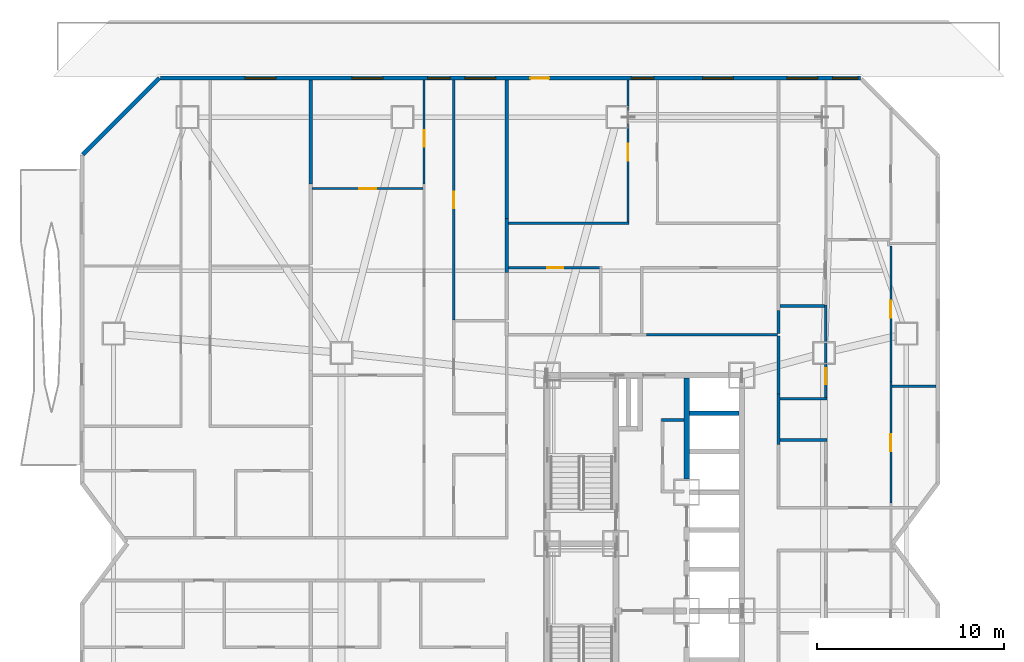
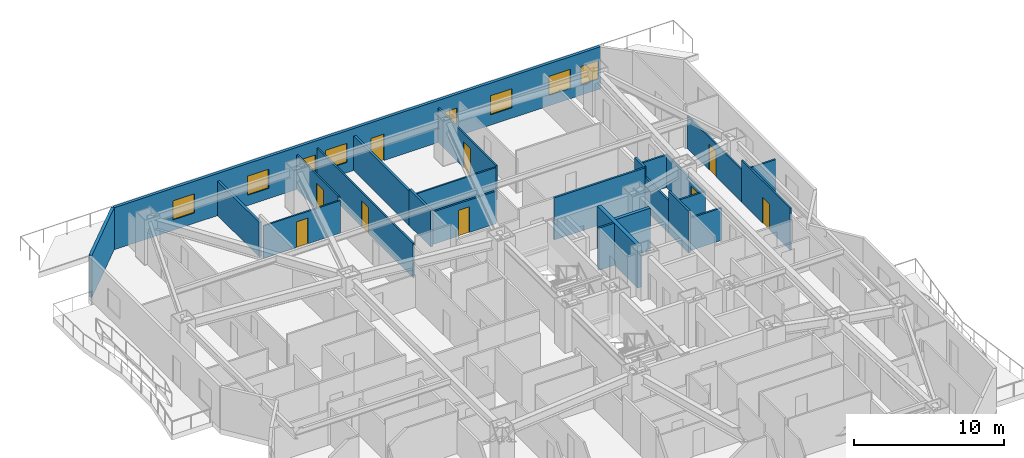
# One storey, part 14 of 18: 25 walls, 9 doors, 8 windows, 17 openings.
"""IFC4 building model written with IfcOpenShell, lengths in metres."""

from ifc_helpers import new_model, si_unit, direction, frame, frame_2d, origin, place, context, subcontext, project, spatial, rectangle, extrude, material, layer, layer_set, type_object, element, fill, save


model = new_model("IFC4")

# Units and contexts
model_context = context("Model", 3, precision=1e-05, world=origin(), true_north=direction((0.0, 1.0)))
body_context = subcontext(model_context, "Body", "Model", "MODEL_VIEW")
ifc_project = project(units=[si_unit("LENGTHUNIT", "METRE"), si_unit("AREAUNIT", "SQUARE_METRE"), si_unit("VOLUMEUNIT", "CUBIC_METRE"), si_unit("PLANEANGLEUNIT", "RADIAN"), si_unit("MASSUNIT", "GRAM", prefix="KILO")], contexts=[model_context])

# Site, building, storey
site_placement = place(None, origin())
site = spatial("IfcSite", under=ifc_project, at=site_placement, CompositionType="ELEMENT")
building_placement = place(site_placement, origin())
building = spatial("IfcBuilding", under=site, at=building_placement, Name="Khamvora Tower", CompositionType="ELEMENT")
storey_placement = place(building_placement, frame((0.0, 0.0, 33.300048828125)))
storey = spatial("IfcBuildingStorey", under=building, at=storey_placement, Name="L07", CompositionType="ELEMENT", Elevation=33.300048828125)

# Walls
ifc_material_1 = material(Name="Concrete C50/60", Category="concrete")
ifc_layer_1 = layer(ifc_material_1, 0.300048828125)
ifc_layer_set_1 = layer_set([ifc_layer_1], Name="Concrete C50/60")
wall_type_1 = type_object("IfcWallType", Name="WAL-CORE-300", PredefinedType="SHEAR", material=ifc_layer_set_1)
wall_1_placement = place(storey_placement, frame((36.449951171875, 31.449951171875, 0.0), z_axis=(0.0, 0.0, 1.0), x_axis=(0.0, 1.0, 0.0)))
element("IfcWall", 1, at=wall_1_placement, inside=storey, type_object=wall_type_1, Name="L07 central core lift bank north wall", PredefinedType="SHEAR", context=body_context, shape_type="SweptSolid", body=[
    extrude(rectangle(XDim=5.39599609375, YDim=0.300048828125, at=frame_2d((2.697998046875, 0.0))), origin(), (0.0, 0.0, 1.0), 3.429931640625),
])
ifc_material_2 = material(Name="Fire-Rated Drywall and Steel Stud", Category="steel")
ifc_layer_2 = layer(ifc_material_2, 0.14990234375)
ifc_layer_set_2 = layer_set([ifc_layer_2], Name="Fire-Rated Drywall and Steel Stud")
wall_type_2 = type_object("IfcWallType", Name="WAL-CORR-150", PredefinedType="STANDARD", material=ifc_layer_set_2)
wall_2_placement = place(storey_placement, frame((36.305908203125, 34.614990234375, 0.0), z_axis=(0.0, 0.0, 1.0), x_axis=(-1.0, 0.0, 0.0)))
element("IfcWall", 2, at=wall_2_placement, inside=storey, type_object=wall_type_2, Name="L07 interior partition wall 001", PredefinedType="STANDARD", context=body_context, shape_type="SweptSolid", body=[
    extrude(rectangle(XDim=1.205810546875, YDim=0.14990234375, at=frame_2d((0.60302734375, 0.0))), origin(), (0.0, 0.0, 1.0), 3.429931640625),
])
wall_3_placement = place(storey_placement, frame((34.299072265625, 39.1650390625, 0.0), z_axis=(0.0, 0.0, 1.0), x_axis=(1.0, 0.0, 0.0)))
element("IfcWall", 3, at=wall_3_placement, inside=storey, type_object=wall_type_2, Name="L07 interior partition wall 027", PredefinedType="STANDARD", context=body_context, shape_type="SweptSolid", body=[
    extrude(rectangle(XDim=7.0009765625, YDim=0.14990234375, at=frame_2d((3.50048828125, 0.0))), origin(), (0.0, 0.0, 1.0), 3.429931640625),
])
wall_4_placement = place(storey_placement, frame((41.364990234375, 35.989990234375, 0.0), z_axis=(0.0, 0.0, 1.0), x_axis=(0.0, -1.0, 0.0)))
element("IfcWall", 4, at=wall_4_placement, inside=storey, type_object=wall_type_2, Name="L07 interior partition wall 034", PredefinedType="STANDARD", context=body_context, shape_type="SweptSolid", body=[
    extrude(rectangle(XDim=2.697998046875, YDim=0.14990234375, at=frame_2d((1.34912109375, 0.0))), origin(), (0.0, 0.0, 1.0), 3.429931640625),
])
wall_5_placement = place(storey_placement, frame((41.364990234375, 39.10009765625, 0.0), z_axis=(0.0, 0.0, 1.0), x_axis=(0.0, -1.0, 0.0)))
element("IfcWall", 5, at=wall_5_placement, inside=storey, type_object=wall_type_2, Name="L07 interior partition wall 038", PredefinedType="STANDARD", context=body_context, shape_type="SweptSolid", body=[
    extrude(rectangle(XDim=3.110107421875, YDim=0.14990234375, at=frame_2d((1.55517578125, 0.0))), origin(), (0.0, 0.0, 1.0), 2.64697265625),
])
ifc_material_3 = material(Name="Acoustic Double-Stud Fire Wall", Category="gypsum")
ifc_layer_3 = layer(ifc_material_3, 0.179931640625)
ifc_layer_set_3 = layer_set([ifc_layer_3], Name="Acoustic Double-Stud Fire Wall")
wall_type_3 = type_object("IfcWallType", Name="WAL-CORR-180", PredefinedType="STANDARD", material=ifc_layer_set_3)
wall_6_placement = place(storey_placement, frame((16.345947265625, 52.7880859375, 0.0), z_axis=(0.0, 0.0, 1.0), x_axis=(0.0, -1.0, 0.0)))
element("IfcWall", 6, at=wall_6_placement, inside=storey, type_object=wall_type_3, Name="L07 interior partition wall 090", PredefinedType="STANDARD", context=body_context, shape_type="SweptSolid", body=[
    extrude(rectangle(XDim=5.55517578125, YDim=0.179931640625, at=frame_2d((2.777587890625, 0.0))), origin(), (0.0, 0.0, 1.0), 2.802978515625),
])
wall_7_placement = place(storey_placement, frame((26.8349609375, 45.3740234375, 0.0), z_axis=(0.0, 0.0, 1.0), x_axis=(0.0, -1.0, 0.0)))
element("IfcWall", 7, at=wall_7_placement, inside=storey, type_object=wall_type_3, Name="L07 interior partition wall 093", PredefinedType="STANDARD", context=body_context, shape_type="SweptSolid", body=[
    extrude(rectangle(XDim=2.8779296875, YDim=0.179931640625, at=frame_2d((1.43896484375, 0.0))), origin(), (0.0, 0.0, 1.0), 2.95703125),
])
wall_8_placement = place(storey_placement, frame((26.8349609375, 52.7880859375, 0.0), z_axis=(0.0, 0.0, 1.0), x_axis=(0.0, -1.0, 0.0)))
element("IfcWall", 8, at=wall_8_placement, inside=storey, type_object=wall_type_3, Name="L07 interior partition wall 095", PredefinedType="STANDARD", context=body_context, shape_type="SweptSolid", body=[
    extrude(rectangle(XDim=7.4140625, YDim=0.179931640625, at=frame_2d((3.70703125, 0.0))), origin(), (0.0, 0.0, 1.0), 2.802978515625),
])
wall_9_placement = place(storey_placement, frame((41.364990234375, 40.45703125, 0.0), z_axis=(0.0, 0.0, 1.0), x_axis=(0.0, -1.0, 0.0)))
element("IfcWall", 9, at=wall_9_placement, inside=storey, type_object=wall_type_3, Name="L07 interior partition wall 132", PredefinedType="STANDARD", context=body_context, shape_type="SweptSolid", body=[
    extrude(rectangle(XDim=1.22705078125, YDim=0.179931640625, at=frame_2d((0.613525390625, 0.0))), origin(), (0.0, 0.0, 1.0), 3.429931640625),
])
ifc_material_4 = material(Name="Precast concrete C40/50", Category="concrete")
ifc_layer_4 = layer(ifc_material_4, 0.219970703125)
ifc_layer_set_4 = layer_set([ifc_layer_4], Name="Precast concrete C40/50")
wall_type_4 = type_object("IfcWallType", Name="WAL-EXT-220", PredefinedType="STANDARD", material=ifc_layer_set_4)
wall_10_placement = place(storey_placement, frame((4.157958984375, 48.802001953125, 0.0), z_axis=(0.0, 0.0, 1.0), x_axis=(0.70712789547, 0.707085666273, 0.0)))
element("IfcWall", 10, at=wall_10_placement, inside=storey, type_object=wall_type_4, Name="L07 exterior facade wall 06.1", PredefinedType="STANDARD", context=body_context, shape_type="SweptSolid", body=[
    extrude(rectangle(XDim=5.78125, YDim=0.219970703125, at=frame_2d((2.890625, 0.0))), origin(), (0.0, 0.0, 1.0), 3.429931640625),
])

# Wall, openings, door, windows
wall_11_placement = place(storey_placement, frame((8.31494140625, 52.889892578125, 0.0), z_axis=(0.0, 0.0, 1.0), x_axis=(1.0, 0.0, 0.0)))
wall_11 = element("IfcWall", 11, at=wall_11_placement, inside=storey, type_object=wall_type_4, Name="L07 exterior facade wall 07.1", PredefinedType="STANDARD", context=body_context, shape_type="SweptSolid", body=[
    extrude(rectangle(XDim=37.43896484375, YDim=0.219970703125, at=frame_2d((18.719482421875, 0.0))), origin(), (0.0, 0.0, 1.0), 3.429931640625),
])
opening_1_placement = place(wall_11_placement, frame((19.779052734375, 0.0, 0.0)))
opening_1 = element("IfcOpeningElement", 12, at=opening_1_placement, cuts=wall_11, Name="Opening BD-02", PredefinedType="OPENING", context=body_context, shape_type="SweptSolid", body=[
    extrude(rectangle(XDim=1.0, YDim=2.14990234375, at=frame_2d((0.5, 1.074951171875))), frame((0.0, 0.119873046875, 0.0), z_axis=(0.0, -1.0, 0.0), x_axis=(1.0, 0.0, 0.0)), (0.0, 0.0, 1.0), 0.239990234375),
])
opening_2_placement = place(wall_11_placement, frame((4.52392578125, 0.0, 0.85009765625)))
opening_2 = element("IfcOpeningElement", 13, at=opening_2_placement, cuts=wall_11, Name="Opening WN-06", PredefinedType="OPENING", context=body_context, shape_type="SweptSolid", body=[
    extrude(rectangle(XDim=1.64990234375, YDim=1.550048828125, at=frame_2d((0.824951171875, 0.77490234375))), frame((0.0, 0.119873046875, 0.0), z_axis=(0.0, -1.0, 0.0), x_axis=(1.0, 0.0, 0.0)), (0.0, 0.0, 1.0), 0.239990234375),
])
opening_3_placement = place(wall_11_placement, frame((16.27294921875, 0.0, 0.85009765625)))
opening_3 = element("IfcOpeningElement", 14, at=opening_3_placement, cuts=wall_11, Name="Opening WN-06", PredefinedType="OPENING", context=body_context, shape_type="SweptSolid", body=[
    extrude(rectangle(XDim=1.64990234375, YDim=1.550048828125, at=frame_2d((0.824951171875, 0.77490234375))), frame((0.0, 0.119873046875, 0.0), z_axis=(0.0, -1.0, 0.0), x_axis=(1.0, 0.0, 0.0)), (0.0, 0.0, 1.0), 0.239990234375),
])
opening_4_placement = place(wall_11_placement, frame((14.284912109375, 0.0, 0.800048828125)))
opening_4 = element("IfcOpeningElement", 15, at=opening_4_placement, cuts=wall_11, Name="Opening WN-03", PredefinedType="OPENING", context=body_context, shape_type="SweptSolid", body=[
    extrude(rectangle(XDim=1.199951171875, YDim=1.5, at=frame_2d((0.60009765625, 0.75))), frame((0.0, 0.119873046875, 0.0), z_axis=(0.0, -1.0, 0.0), x_axis=(1.0, 0.0, 0.0)), (0.0, 0.0, 1.0), 0.239990234375),
])
opening_5_placement = place(wall_11_placement, frame((10.238037109375, 0.0, 0.85009765625)))
opening_5 = element("IfcOpeningElement", 16, at=opening_5_placement, cuts=wall_11, Name="Opening WN-06", PredefinedType="OPENING", context=body_context, shape_type="SweptSolid", body=[
    extrude(rectangle(XDim=1.64990234375, YDim=1.550048828125, at=frame_2d((0.824951171875, 0.77490234375))), frame((0.0, 0.119873046875, 0.0), z_axis=(0.0, -1.0, 0.0), x_axis=(1.0, 0.0, 0.0)), (0.0, 0.0, 1.0), 0.239990234375),
])
opening_6_placement = place(wall_11_placement, frame((25.18505859375, 0.0, 0.800048828125)))
opening_6 = element("IfcOpeningElement", 17, at=opening_6_placement, cuts=wall_11, Name="Opening WN-03", PredefinedType="OPENING", context=body_context, shape_type="SweptSolid", body=[
    extrude(rectangle(XDim=1.199951171875, YDim=1.5, at=frame_2d((0.60009765625, 0.75))), frame((0.0, 0.119873046875, 0.0), z_axis=(0.0, -1.0, 0.0), x_axis=(1.0, 0.0, 0.0)), (0.0, 0.0, 1.0), 0.239990234375),
])
opening_7_placement = place(wall_11_placement, frame((28.985107421875, 0.0, 0.85009765625)))
opening_7 = element("IfcOpeningElement", 18, at=opening_7_placement, cuts=wall_11, Name="Opening WN-06", PredefinedType="OPENING", context=body_context, shape_type="SweptSolid", body=[
    extrude(rectangle(XDim=1.64990234375, YDim=1.550048828125, at=frame_2d((0.824951171875, 0.77490234375))), frame((0.0, 0.119873046875, 0.0), z_axis=(0.0, -1.0, 0.0), x_axis=(1.0, 0.0, 0.0)), (0.0, 0.0, 1.0), 0.239990234375),
])
opening_8_placement = place(wall_11_placement, frame((33.489990234375, 0.0, 0.85009765625)))
opening_8 = element("IfcOpeningElement", 19, at=opening_8_placement, cuts=wall_11, Name="Opening WN-06", PredefinedType="OPENING", context=body_context, shape_type="SweptSolid", body=[
    extrude(rectangle(XDim=1.64990234375, YDim=1.550048828125, at=frame_2d((0.824951171875, 0.77490234375))), frame((0.0, 0.119873046875, 0.0), z_axis=(0.0, -1.0, 0.0), x_axis=(1.0, 0.0, 0.0)), (0.0, 0.0, 1.0), 0.239990234375),
])
opening_9_placement = place(wall_11_placement, frame((35.94189453125, 0.0, 0.85009765625)))
opening_9 = element("IfcOpeningElement", 20, at=opening_9_placement, cuts=wall_11, Name="Opening WN-07", PredefinedType="OPENING", context=body_context, shape_type="SweptSolid", body=[
    extrude(rectangle(XDim=1.35009765625, YDim=1.5, at=frame_2d((0.675048828125, 0.75))), frame((0.0, 0.119873046875, 0.0), z_axis=(0.0, -1.0, 0.0), x_axis=(1.0, 0.0, 0.0)), (0.0, 0.0, 1.0), 0.239990234375),
])
ifc_material_5 = material(Name="Anodised Aluminium and Laminated Safety Glass", Category="aluminium")
door_type_1 = type_object("IfcDoorType", Name="DOR-BAL-1000", OperationType="NOTDEFINED", PredefinedType="DOOR", material=ifc_material_5)
door_1_placement = place(opening_1_placement, origin())
door_1 = element("IfcDoor", 21, at=door_1_placement, inside=storey, type_object=door_type_1, Name="L07 stepped roof terrace access door N", OperationType="SLIDING_TO_LEFT", OverallHeight=2.14990234375, OverallWidth=1.0, PredefinedType="DOOR", context=body_context, shape_type="SweptSolid", body=[
    extrude(rectangle(XDim=1.0, YDim=2.14990234375, at=frame_2d((0.5, 1.074951171875))), frame((0.0, 0.02490234375, 0.0), z_axis=(0.0, -1.0, 0.0), x_axis=(1.0, 0.0, 0.0)), (0.0, 0.0, 1.0), 0.050048828125),
])
fill(opening_1, door_1)
ifc_material_6 = material(Name="Low-E Laminated Double Glazing", Category="glass")
window_type_1 = type_object("IfcWindowType", Name="WIN-VIS-1200x1500", PartitioningType="SINGLE_PANEL", PredefinedType="WINDOW", material=ifc_material_6)
window_1_placement = place(opening_4_placement, origin())
window_1 = element("IfcWindow", 22, at=window_1_placement, inside=storey, type_object=window_type_1, Name="L07 vision window 07.1.03", OverallHeight=1.5, OverallWidth=1.199951171875, PartitioningType="SINGLE_PANEL", PredefinedType="WINDOW", context=body_context, shape_type="SweptSolid", body=[
    extrude(rectangle(XDim=1.199951171875, YDim=1.5, at=frame_2d((0.60009765625, 0.75))), frame((0.0, 0.030029296875, 0.0), z_axis=(0.0, -1.0, 0.0), x_axis=(1.0, 0.0, 0.0)), (0.0, 0.0, 1.0), 0.06005859375),
])
fill(opening_4, window_1)
window_2_placement = place(opening_6_placement, origin())
window_2 = element("IfcWindow", 23, at=window_2_placement, inside=storey, type_object=window_type_1, Name="L07 vision window 07.1.05", OverallHeight=1.5, OverallWidth=1.199951171875, PartitioningType="SINGLE_PANEL", PredefinedType="WINDOW", context=body_context, shape_type="SweptSolid", body=[
    extrude(rectangle(XDim=1.199951171875, YDim=1.5, at=frame_2d((0.60009765625, 0.75))), frame((0.0, 0.030029296875, 0.0), z_axis=(0.0, -1.0, 0.0), x_axis=(1.0, 0.0, 0.0)), (0.0, 0.0, 1.0), 0.06005859375),
])
fill(opening_6, window_2)
window_type_2 = type_object("IfcWindowType", Name="WIN-VIS-1350x1500", PartitioningType="SINGLE_PANEL", PredefinedType="WINDOW", material=ifc_material_6)
window_3_placement = place(opening_9_placement, origin())
window_3 = element("IfcWindow", 24, at=window_3_placement, inside=storey, type_object=window_type_2, Name="L07 vision window 07.1.08", OverallHeight=1.5, OverallWidth=1.35009765625, PartitioningType="SINGLE_PANEL", PredefinedType="WINDOW", context=body_context, shape_type="SweptSolid", body=[
    extrude(rectangle(XDim=1.35009765625, YDim=1.5, at=frame_2d((0.675048828125, 0.75))), frame((0.0, 0.030029296875, 0.0), z_axis=(0.0, -1.0, 0.0), x_axis=(1.0, 0.0, 0.0)), (0.0, 0.0, 1.0), 0.06005859375),
])
fill(opening_9, window_3)
window_type_3 = type_object("IfcWindowType", Name="WIN-VIS-1650x1550", PartitioningType="SINGLE_PANEL", PredefinedType="WINDOW", material=ifc_material_6)
window_4_placement = place(opening_2_placement, origin())
window_4 = element("IfcWindow", 25, at=window_4_placement, inside=storey, type_object=window_type_3, Name="L07 vision window 07.1.01", OverallHeight=1.550048828125, OverallWidth=1.64990234375, PartitioningType="SINGLE_PANEL", PredefinedType="WINDOW", context=body_context, shape_type="SweptSolid", body=[
    extrude(rectangle(XDim=1.64990234375, YDim=1.550048828125, at=frame_2d((0.824951171875, 0.77490234375))), frame((0.0, 0.030029296875, 0.0), z_axis=(0.0, -1.0, 0.0), x_axis=(1.0, 0.0, 0.0)), (0.0, 0.0, 1.0), 0.06005859375),
])
fill(opening_2, window_4)
window_5_placement = place(opening_3_placement, origin())
window_5 = element("IfcWindow", 26, at=window_5_placement, inside=storey, type_object=window_type_3, Name="L07 vision window 07.1.02", OverallHeight=1.550048828125, OverallWidth=1.64990234375, PartitioningType="SINGLE_PANEL", PredefinedType="WINDOW", context=body_context, shape_type="SweptSolid", body=[
    extrude(rectangle(XDim=1.64990234375, YDim=1.550048828125, at=frame_2d((0.824951171875, 0.77490234375))), frame((0.0, 0.030029296875, 0.0), z_axis=(0.0, -1.0, 0.0), x_axis=(1.0, 0.0, 0.0)), (0.0, 0.0, 1.0), 0.06005859375),
])
fill(opening_3, window_5)
window_6_placement = place(opening_5_placement, origin())
window_6 = element("IfcWindow", 27, at=window_6_placement, inside=storey, type_object=window_type_3, Name="L07 vision window 07.1.04", OverallHeight=1.550048828125, OverallWidth=1.64990234375, PartitioningType="SINGLE_PANEL", PredefinedType="WINDOW", context=body_context, shape_type="SweptSolid", body=[
    extrude(rectangle(XDim=1.64990234375, YDim=1.550048828125, at=frame_2d((0.824951171875, 0.77490234375))), frame((0.0, 0.030029296875, 0.0), z_axis=(0.0, -1.0, 0.0), x_axis=(1.0, 0.0, 0.0)), (0.0, 0.0, 1.0), 0.06005859375),
])
fill(opening_5, window_6)
window_7_placement = place(opening_7_placement, origin())
window_7 = element("IfcWindow", 28, at=window_7_placement, inside=storey, type_object=window_type_3, Name="L07 vision window 07.1.06", OverallHeight=1.550048828125, OverallWidth=1.64990234375, PartitioningType="SINGLE_PANEL", PredefinedType="WINDOW", context=body_context, shape_type="SweptSolid", body=[
    extrude(rectangle(XDim=1.64990234375, YDim=1.550048828125, at=frame_2d((0.824951171875, 0.77490234375))), frame((0.0, 0.030029296875, 0.0), z_axis=(0.0, -1.0, 0.0), x_axis=(1.0, 0.0, 0.0)), (0.0, 0.0, 1.0), 0.06005859375),
])
fill(opening_7, window_7)
window_8_placement = place(opening_8_placement, origin())
window_8 = element("IfcWindow", 29, at=window_8_placement, inside=storey, type_object=window_type_3, Name="L07 vision window 07.1.07", OverallHeight=1.550048828125, OverallWidth=1.64990234375, PartitioningType="SINGLE_PANEL", PredefinedType="WINDOW", context=body_context, shape_type="SweptSolid", body=[
    extrude(rectangle(XDim=1.64990234375, YDim=1.550048828125, at=frame_2d((0.824951171875, 0.77490234375))), frame((0.0, 0.030029296875, 0.0), z_axis=(0.0, -1.0, 0.0), x_axis=(1.0, 0.0, 0.0)), (0.0, 0.0, 1.0), 0.06005859375),
])
fill(opening_8, window_8)

# Wall, opening, door
ifc_material_7 = material(Name="Gypsum Plasterboard Partition", Category="gypsum")
ifc_layer_5 = layer(ifc_material_7, 0.1201171875)
ifc_layer_set_5 = layer_set([ifc_layer_5], Name="Gypsum Plasterboard Partition")
wall_type_5 = type_object("IfcWallType", Name="WAL-PART-120", PredefinedType="PARTITIONING", material=ifc_layer_set_5)
wall_12_placement = place(storey_placement, frame((23.989990234375, 39.970947265625, 0.0), z_axis=(0.0, 0.0, 1.0), x_axis=(0.0, 1.0, 0.0)))
wall_12 = element("IfcWall", 30, at=wall_12_placement, inside=storey, type_object=wall_type_5, Name="L07 interior partition wall 091", PredefinedType="PARTITIONING", context=body_context, shape_type="SweptSolid", body=[
    extrude(rectangle(XDim=12.817138671875, YDim=0.1201171875, at=frame_2d((6.40869140625, 0.0))), origin(), (0.0, 0.0, 1.0), 2.802978515625),
])
opening_10_placement = place(wall_12_placement, frame((5.9580078125, 0.0, 0.0)))
opening_10 = element("IfcOpeningElement", 31, at=opening_10_placement, cuts=wall_12, Name="Opening D-RM1", PredefinedType="OPENING", context=body_context, shape_type="SweptSolid", body=[
    extrude(rectangle(XDim=0.89990234375, YDim=2.10009765625, at=frame_2d((0.449951171875, 1.050048828125))), frame((0.0, 0.070068359375, 0.0), z_axis=(0.0, -1.0, 0.0), x_axis=(1.0, 0.0, 0.0)), (0.0, 0.0, 1.0), 0.14013671875),
])
ifc_material_8 = material(Name="Powder-Coated Steel and Hardwood Leaf", Category="steel")
door_type_2 = type_object("IfcDoorType", Name="DOR-ROOM-900", OperationType="NOTDEFINED", PredefinedType="DOOR", material=ifc_material_8)
door_2_placement = place(opening_10_placement, origin())
door_2 = element("IfcDoor", 32, at=door_2_placement, inside=storey, type_object=door_type_2, Name="L07 interior door 07WB2W2-07WB2H", OperationType="SINGLE_SWING_RIGHT", OverallHeight=2.10009765625, OverallWidth=0.89990234375, PredefinedType="DOOR", context=body_context, shape_type="SweptSolid", body=[
    extrude(rectangle(XDim=0.89990234375, YDim=2.10009765625, at=frame_2d((0.449951171875, 1.050048828125))), frame((0.0, 0.02490234375, 0.0), z_axis=(0.0, -1.0, 0.0), x_axis=(1.0, 0.0, 0.0)), (0.0, 0.0, 1.0), 0.050048828125),
])
fill(opening_10, door_2)

wall_13_placement = place(storey_placement, frame((22.409912109375, 47.23291015625, 0.0), z_axis=(0.0, 0.0, 1.0), x_axis=(0.0, 1.0, 0.0)))
wall_13 = element("IfcWall", 33, at=wall_13_placement, inside=storey, type_object=wall_type_5, Name="L07 interior partition wall 102", PredefinedType="PARTITIONING", context=body_context, shape_type="SweptSolid", body=[
    extrude(rectangle(XDim=5.55517578125, YDim=0.1201171875, at=frame_2d((2.777587890625, 0.0))), origin(), (0.0, 0.0, 1.0), 2.802978515625),
])
opening_11_placement = place(wall_13_placement, frame((1.97998046875, 0.0, 0.0)))
opening_11 = element("IfcOpeningElement", 34, at=opening_11_placement, cuts=wall_13, Name="Opening D-RM1", PredefinedType="OPENING", context=body_context, shape_type="SweptSolid", body=[
    extrude(rectangle(XDim=0.89990234375, YDim=2.10009765625, at=frame_2d((0.449951171875, 1.050048828125))), frame((0.0, 0.070068359375, 0.0), z_axis=(0.0, -1.0, 0.0), x_axis=(1.0, 0.0, 0.0)), (0.0, 0.0, 1.0), 0.14013671875),
])
door_3_placement = place(opening_11_placement, origin())
door_3 = element("IfcDoor", 35, at=door_3_placement, inside=storey, type_object=door_type_2, Name="L07 interior door 07WB2H-07WB2R3", OperationType="SINGLE_SWING_LEFT", OverallHeight=2.10009765625, OverallWidth=0.89990234375, PredefinedType="DOOR", context=body_context, shape_type="SweptSolid", body=[
    extrude(rectangle(XDim=0.89990234375, YDim=2.10009765625, at=frame_2d((0.449951171875, 1.050048828125))), frame((0.0, 0.02490234375, 0.0), z_axis=(0.0, -1.0, 0.0), x_axis=(1.0, 0.0, 0.0)), (0.0, 0.0, 1.0), 0.050048828125),
])
fill(opening_11, door_3)

wall_14_placement = place(storey_placement, frame((16.427978515625, 46.98388671875, 0.0), z_axis=(0.0, 0.0, 1.0), x_axis=(1.0, 0.0, 0.0)))
wall_14 = element("IfcWall", 36, at=wall_14_placement, inside=storey, type_object=wall_type_5, Name="L07 interior partition wall 105", PredefinedType="PARTITIONING", context=body_context, shape_type="SweptSolid", body=[
    extrude(rectangle(XDim=5.927978515625, YDim=0.1201171875, at=frame_2d((2.9638671875, 0.0))), origin(), (0.0, 0.0, 1.0), 2.64697265625),
])
opening_12_placement = place(wall_14_placement, frame((2.513916015625, 0.0, 0.0)))
opening_12 = element("IfcOpeningElement", 37, at=opening_12_placement, cuts=wall_14, Name="Opening D-RM1", PredefinedType="OPENING", context=body_context, shape_type="SweptSolid", body=[
    extrude(rectangle(XDim=0.89990234375, YDim=2.10009765625, at=frame_2d((0.449951171875, 1.050048828125))), frame((0.0, 0.070068359375, 0.0), z_axis=(0.0, -1.0, 0.0), x_axis=(1.0, 0.0, 0.0)), (0.0, 0.0, 1.0), 0.14013671875),
])
door_4_placement = place(opening_12_placement, origin())
door_4 = element("IfcDoor", 38, at=door_4_placement, inside=storey, type_object=door_type_2, Name="L07 interior door 07WB2R2-07WB2R3", OperationType="SINGLE_SWING_RIGHT", OverallHeight=2.10009765625, OverallWidth=0.89990234375, PredefinedType="DOOR", context=body_context, shape_type="SweptSolid", body=[
    extrude(rectangle(XDim=0.89990234375, YDim=2.10009765625, at=frame_2d((0.449951171875, 1.050048828125))), frame((0.0, 0.02490234375, 0.0), z_axis=(0.0, -1.0, 0.0), x_axis=(1.0, 0.0, 0.0)), (0.0, 0.0, 1.0), 0.050048828125),
])
fill(opening_12, door_4)

# Wall
wall_15_placement = place(storey_placement, frame((26.9169921875, 45.125, 0.0), z_axis=(0.0, 0.0, 1.0), x_axis=(1.0, 0.0, 0.0)))
element("IfcWall", 39, at=wall_15_placement, inside=storey, type_object=wall_type_5, Name="L07 interior partition wall 126", PredefinedType="PARTITIONING", context=body_context, shape_type="SweptSolid", body=[
    extrude(rectangle(XDim=6.462890625, YDim=0.1201171875, at=frame_2d((3.2314453125, 0.0))), origin(), (0.0, 0.0, 1.0), 2.64697265625),
])

# Wall, opening, door
wall_16_placement = place(storey_placement, frame((33.31494140625, 45.06005859375, 0.0), z_axis=(0.0, 0.0, 1.0), x_axis=(0.0, 1.0, 0.0)))
wall_16 = element("IfcWall", 40, at=wall_16_placement, inside=storey, type_object=wall_type_5, Name="L07 interior partition wall 127", PredefinedType="PARTITIONING", context=body_context, shape_type="SweptSolid", body=[
    extrude(rectangle(XDim=7.72802734375, YDim=0.1201171875, at=frame_2d((3.864013671875, 0.0))), origin(), (0.0, 0.0, 1.0), 2.802978515625),
])
opening_13_placement = place(wall_16_placement, frame((3.4140625, 0.0, 0.0)))
opening_13 = element("IfcOpeningElement", 41, at=opening_13_placement, cuts=wall_16, Name="Opening D-RM1", PredefinedType="OPENING", context=body_context, shape_type="SweptSolid", body=[
    extrude(rectangle(XDim=0.89990234375, YDim=2.10009765625, at=frame_2d((0.449951171875, 1.050048828125))), frame((0.0, 0.070068359375, 0.0), z_axis=(0.0, -1.0, 0.0), x_axis=(1.0, 0.0, 0.0)), (0.0, 0.0, 1.0), 0.14013671875),
])
door_5_placement = place(opening_13_placement, origin())
door_5 = element("IfcDoor", 42, at=door_5_placement, inside=storey, type_object=door_type_2, Name="L07 interior door 07NAH-07NAR1", OperationType="SINGLE_SWING_LEFT", OverallHeight=2.10009765625, OverallWidth=0.89990234375, PredefinedType="DOOR", context=body_context, shape_type="SweptSolid", body=[
    extrude(rectangle(XDim=0.89990234375, YDim=2.10009765625, at=frame_2d((0.449951171875, 1.050048828125))), frame((0.0, 0.02490234375, 0.0), z_axis=(0.0, -1.0, 0.0), x_axis=(1.0, 0.0, 0.0)), (0.0, 0.0, 1.0), 0.050048828125),
])
fill(opening_13, door_5)

wall_17_placement = place(storey_placement, frame((47.375, 36.6630859375, 0.0), z_axis=(0.0, 0.0, 1.0), x_axis=(0.0, -1.0, 0.0)))
wall_17 = element("IfcWall", 43, at=wall_17_placement, inside=storey, type_object=wall_type_5, Name="L07 interior partition wall 158", PredefinedType="PARTITIONING", context=body_context, shape_type="SweptSolid", body=[
    extrude(rectangle(XDim=6.4931640625, YDim=0.1201171875, at=frame_2d((3.24658203125, 0.0))), origin(), (0.0, 0.0, 1.0), 3.429931640625),
])
opening_14_placement = place(wall_17_placement, frame((2.81689453125, 0.0, 0.0)))
opening_14 = element("IfcOpeningElement", 44, at=opening_14_placement, cuts=wall_17, Name="Opening D-RM1", PredefinedType="OPENING", context=body_context, shape_type="SweptSolid", body=[
    extrude(rectangle(XDim=0.89990234375, YDim=2.10009765625, at=frame_2d((0.449951171875, 1.050048828125))), frame((0.0, 0.070068359375, 0.0), z_axis=(0.0, -1.0, 0.0), x_axis=(1.0, 0.0, 0.0)), (0.0, 0.0, 1.0), 0.14013671875),
])
door_6_placement = place(opening_14_placement, origin())
door_6 = element("IfcDoor", 45, at=door_6_placement, inside=storey, type_object=door_type_2, Name="L07 interior door 07EBH-07EBL", OperationType="SINGLE_SWING_LEFT", OverallHeight=2.10009765625, OverallWidth=0.89990234375, PredefinedType="DOOR", context=body_context, shape_type="SweptSolid", body=[
    extrude(rectangle(XDim=0.89990234375, YDim=2.10009765625, at=frame_2d((0.449951171875, 1.050048828125))), frame((0.0, 0.02490234375, 0.0), z_axis=(0.0, -1.0, 0.0), x_axis=(1.0, 0.0, 0.0)), (0.0, 0.0, 1.0), 0.050048828125),
])
fill(opening_14, door_6)

wall_18_placement = place(storey_placement, frame((47.375, 43.908935546875, 0.0), z_axis=(0.0, 0.0, 1.0), x_axis=(0.0, -1.0, 0.0)))
wall_18 = element("IfcWall", 46, at=wall_18_placement, inside=storey, type_object=wall_type_5, Name="L07 interior partition wall 159", PredefinedType="PARTITIONING", context=body_context, shape_type="SweptSolid", body=[
    extrude(rectangle(XDim=7.245849609375, YDim=0.1201171875, at=frame_2d((3.623046875, 0.0))), origin(), (0.0, 0.0, 1.0), 2.64697265625),
])
opening_15_placement = place(wall_18_placement, frame((2.93408203125, 0.0, 0.0)))
opening_15 = element("IfcOpeningElement", 47, at=opening_15_placement, cuts=wall_18, Name="Opening D-RM1", PredefinedType="OPENING", context=body_context, shape_type="SweptSolid", body=[
    extrude(rectangle(XDim=0.89990234375, YDim=2.10009765625, at=frame_2d((0.449951171875, 1.050048828125))), frame((0.0, 0.070068359375, 0.0), z_axis=(0.0, -1.0, 0.0), x_axis=(1.0, 0.0, 0.0)), (0.0, 0.0, 1.0), 0.14013671875),
])
door_7_placement = place(opening_15_placement, origin())
door_7 = element("IfcDoor", 48, at=door_7_placement, inside=storey, type_object=door_type_2, Name="L07 interior door 07EBH-07EBR2", OperationType="SINGLE_SWING_LEFT", OverallHeight=2.10009765625, OverallWidth=0.89990234375, PredefinedType="DOOR", context=body_context, shape_type="SweptSolid", body=[
    extrude(rectangle(XDim=0.89990234375, YDim=2.10009765625, at=frame_2d((0.449951171875, 1.050048828125))), frame((0.0, 0.02490234375, 0.0), z_axis=(0.0, -1.0, 0.0), x_axis=(1.0, 0.0, 0.0)), (0.0, 0.0, 1.0), 0.050048828125),
])
fill(opening_15, door_7)

# Walls
wall_19_placement = place(storey_placement, frame((47.428955078125, 36.4140625, 0.0), z_axis=(0.0, 0.0, 1.0), x_axis=(1.0, 0.0, 0.0)))
element("IfcWall", 49, at=wall_19_placement, inside=storey, type_object=wall_type_5, Name="L07 interior partition wall 161", PredefinedType="PARTITIONING", context=body_context, shape_type="SweptSolid", body=[
    extrude(rectangle(XDim=2.359130859375, YDim=0.1201171875, at=frame_2d((1.1796875, 0.0))), origin(), (0.0, 0.0, 1.0), 2.802978515625),
])
ifc_material_9 = material(Name="Concrete C40/50", Category="concrete")
ifc_layer_6 = layer(ifc_material_9, 0.25)
ifc_layer_set_6 = layer_set([ifc_layer_6], Name="Concrete C40/50")
wall_type_6 = type_object("IfcWallType", Name="WAL-PODS-250", PredefinedType="SHEAR", material=ifc_layer_set_6)
wall_20_placement = place(storey_placement, frame((36.60400390625, 34.97509765625, 0.0), z_axis=(0.0, 0.0, 1.0), x_axis=(1.0, 0.0, 0.0)))
element("IfcWall", 50, at=wall_20_placement, inside=storey, type_object=wall_type_6, Name="L07 lift shaft divider wall PH-02", PredefinedType="SHEAR", context=body_context, shape_type="SweptSolid", body=[
    extrude(rectangle(XDim=2.64208984375, YDim=0.25, at=frame_2d((1.321044921875, 0.0))), origin(), (0.0, 0.0, 1.0), 3.429931640625),
])

# Wall, opening, door
ifc_material_10 = material(Name="Moisture-Resistant Plasterboard Partition", Category="gypsum")
ifc_layer_7 = layer(ifc_material_10, 0.135009765625)
ifc_layer_set_7 = layer_set([ifc_layer_7], Name="Moisture-Resistant Plasterboard Partition")
wall_type_7 = type_object("IfcWallType", Name="WAL-WET-135", PredefinedType="PARTITIONING", material=ifc_layer_set_7)
wall_21_placement = place(storey_placement, frame((31.9150390625, 42.7451171875, 0.0), z_axis=(0.0, 0.0, 1.0), x_axis=(-1.0, 0.0, 0.0)))
wall_21 = element("IfcWall", 51, at=wall_21_placement, inside=storey, type_object=wall_type_7, Name="L07 interior partition wall 123", PredefinedType="PARTITIONING", context=body_context, shape_type="SweptSolid", body=[
    extrude(rectangle(XDim=4.998046875, YDim=0.135009765625, at=frame_2d((2.4990234375, 0.0))), origin(), (0.0, 0.0, 1.0), 2.64697265625),
])
opening_16_placement = place(wall_21_placement, frame((2.073974609375, 0.0, 0.0)))
opening_16 = element("IfcOpeningElement", 52, at=opening_16_placement, cuts=wall_21, Name="Opening D-WC1", PredefinedType="OPENING", context=body_context, shape_type="SweptSolid", body=[
    extrude(rectangle(XDim=0.85009765625, YDim=2.10009765625, at=frame_2d((0.425048828125, 1.050048828125))), frame((0.0, 0.077392578125, 0.0), z_axis=(0.0, -1.0, 0.0), x_axis=(1.0, 0.0, 0.0)), (0.0, 0.0, 1.0), 0.155029296875),
])
door_type_3 = type_object("IfcDoorType", Name="DOR-WET-850", OperationType="NOTDEFINED", PredefinedType="DOOR", material=ifc_material_8)
door_8_placement = place(opening_16_placement, origin())
door_8 = element("IfcDoor", 53, at=door_8_placement, inside=storey, type_object=door_type_3, Name="L07 interior door 07NAH-07NAB", OperationType="SINGLE_SWING_LEFT", OverallHeight=2.10009765625, OverallWidth=0.85009765625, PredefinedType="DOOR", context=body_context, shape_type="SweptSolid", body=[
    extrude(rectangle(XDim=0.85009765625, YDim=2.10009765625, at=frame_2d((0.425048828125, 1.050048828125))), frame((0.0, 0.02490234375, 0.0), z_axis=(0.0, -1.0, 0.0), x_axis=(1.0, 0.0, 0.0)), (0.0, 0.0, 1.0), 0.050048828125),
])
fill(opening_16, door_8)

# Walls
wall_22_placement = place(storey_placement, frame((43.830078125, 40.7060546875, 0.0), z_axis=(0.0, 0.0, 1.0), x_axis=(-1.0, 0.0, 0.0)))
element("IfcWall", 54, at=wall_22_placement, inside=storey, type_object=wall_type_7, Name="L07 interior partition wall 151", PredefinedType="PARTITIONING", context=body_context, shape_type="SweptSolid", body=[
    extrude(rectangle(XDim=2.383056640625, YDim=0.135009765625, at=frame_2d((1.19140625, 0.0))), origin(), (0.0, 0.0, 1.0), 2.64697265625),
])
for number, where, z_axis, x_axis, name in (
    (55, (43.9599609375, 33.541015625, 0.0), (0.0, 0.0, 1.0), (-1.0, 0.0, 0.0), "L07 interior partition wall 155"),
    (56, (41.431884765625, 35.740966796875, 0.0), (0.0, 0.0, 1.0), (1.0, 0.0, 0.0), "L07 interior partition wall 156"),
):
    element("IfcWall", number, at=place(storey_placement, frame(where, z_axis=z_axis, x_axis=x_axis)), inside=storey, type_object=wall_type_7, Name=name, PredefinedType="PARTITIONING", context=body_context, shape_type="SweptSolid", body=[
        extrude(rectangle(XDim=2.528076171875, YDim=0.135009765625, at=frame_2d((1.26416015625, 0.0))), origin(), (0.0, 0.0, 1.0), 2.64697265625),
    ])

# Wall, opening, door
wall_23_placement = place(storey_placement, frame((43.89501953125, 35.676025390625, 0.0), z_axis=(0.0, 0.0, 1.0), x_axis=(0.0, 1.0, 0.0)))
wall_23 = element("IfcWall", 57, at=wall_23_placement, inside=storey, type_object=wall_type_7, Name="L07 interior partition wall 157", PredefinedType="PARTITIONING", context=body_context, shape_type="SweptSolid", body=[
    extrude(rectangle(XDim=5.094970703125, YDim=0.135009765625, at=frame_2d((2.54736328125, 0.0))), origin(), (0.0, 0.0, 1.0), 2.64697265625),
])
opening_17_placement = place(wall_23_placement, frame((0.85693359375, 0.0, 0.0)))
opening_17 = element("IfcOpeningElement", 58, at=opening_17_placement, cuts=wall_23, Name="Opening D-RM2", PredefinedType="OPENING", context=body_context, shape_type="SweptSolid", body=[
    extrude(rectangle(XDim=0.85009765625, YDim=2.10009765625, at=frame_2d((0.425048828125, 1.050048828125))), frame((0.0, 0.077392578125, 0.0), z_axis=(0.0, -1.0, 0.0), x_axis=(1.0, 0.0, 0.0)), (0.0, 0.0, 1.0), 0.155029296875),
])
door_type_4 = type_object("IfcDoorType", Name="DOR-ROOM-850", OperationType="NOTDEFINED", PredefinedType="DOOR", material=ifc_material_8)
door_9_placement = place(opening_17_placement, origin())
door_9 = element("IfcDoor", 59, at=door_9_placement, inside=storey, type_object=door_type_4, Name="L07 interior door 07EBH-07EBK", OperationType="SINGLE_SWING_LEFT", OverallHeight=2.10009765625, OverallWidth=0.85009765625, PredefinedType="DOOR", context=body_context, shape_type="SweptSolid", body=[
    extrude(rectangle(XDim=0.85009765625, YDim=2.10009765625, at=frame_2d((0.425048828125, 1.050048828125))), frame((0.0, 0.02490234375, 0.0), z_axis=(0.0, -1.0, 0.0), x_axis=(1.0, 0.0, 0.0)), (0.0, 0.0, 1.0), 0.050048828125),
])
fill(opening_17, door_9)

save(model, "model.ifc")
